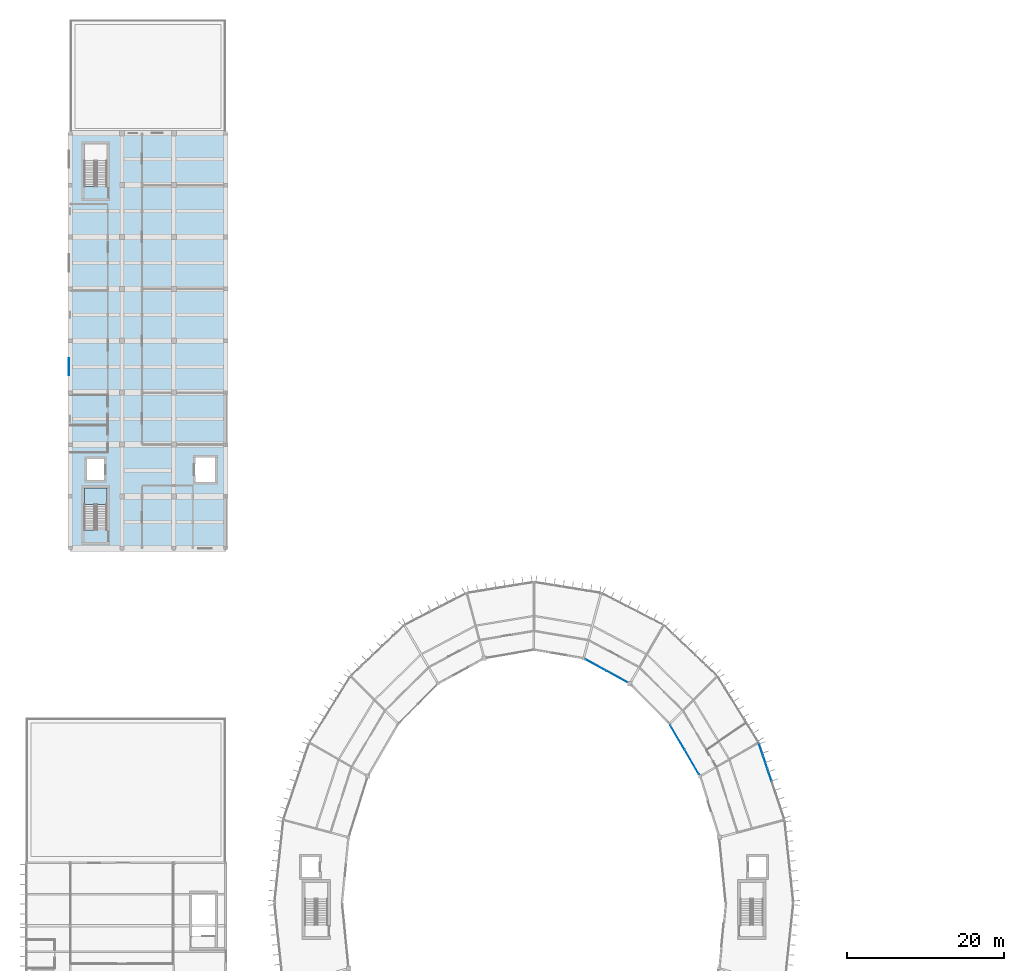
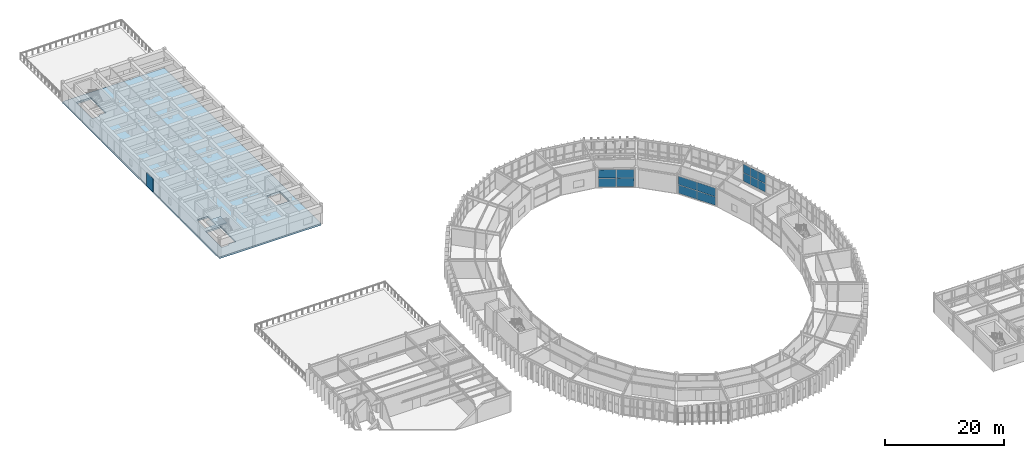
# One storey, part 94 of 130: 15 plates, 2 slabs, 4 elements without a shape of their own.
"""IFC4 building model written with IfcOpenShell, lengths in metres."""

from ifc_helpers import new_model, si_unit, direction, frame, origin, origin_2d, place, context, subcontext, project, spatial, polyline, rectangle, outline, extrude, material, layer, layer_set, type_object, element, aggregate, save


model = new_model("IFC4")

# Units and contexts
model_context = context("Model", 3, precision=1e-05, world=origin(), true_north=direction((0.0, 1.0)))
body_context = subcontext(model_context, "Body", "Model", "MODEL_VIEW")
ifc_project = project(units=[si_unit("LENGTHUNIT", "METRE"), si_unit("AREAUNIT", "SQUARE_METRE"), si_unit("VOLUMEUNIT", "CUBIC_METRE"), si_unit("PLANEANGLEUNIT", "RADIAN"), si_unit("MASSUNIT", "GRAM", prefix="KILO")], contexts=[model_context])

# Site, building, storey
site_placement = place(None, origin())
site = spatial("IfcSite", under=ifc_project, at=site_placement, CompositionType="ELEMENT")
building_placement = place(site_placement, origin())
building = spatial("IfcBuilding", under=site, at=building_placement, Name="Karori Crest Natural Sciences Institute", CompositionType="ELEMENT")
storey_placement = place(building_placement, frame((0.0, 0.0, 17.5)))
storey = spatial("IfcBuildingStorey", under=building, at=storey_placement, Name="L04", CompositionType="ELEMENT", Elevation=17.5)

# Curtain wall, plates
ifc_material_1 = material(Name="Anodised architectural aluminium 6063-T6", Category="aluminium")
curtain_wall_type_1 = type_object("IfcCurtainWallType", Name="CWT-13", PredefinedType="NOTDEFINED", material=ifc_material_1)
curtain_wall_1_placement = place(storey_placement, origin())
curtain_wall_1 = element("IfcCurtainWall", 1, at=curtain_wall_1_placement, inside=storey, type_object=curtain_wall_type_1, Name="Curtain wall CW-0140", PredefinedType="NOTDEFINED")
ifc_material_2 = material(Name="Double low-E laminated glass", Category="glass")
ifc_layer_1 = layer(ifc_material_2, 0.02392578125, Name="Double low-E laminated glass")
ifc_layer_set_1 = layer_set([ifc_layer_1], Name="Double low-E laminated glass")
plate_type_1 = type_object("IfcPlateType", Name="CWP-01", PredefinedType="CURTAIN_PANEL", material=ifc_layer_set_1)
plate_1_placement = place(storey_placement, frame((86.48193359375, 67.80419921875, 0.06005859375), z_axis=(0.0, 0.0, 1.0), x_axis=(-0.502654910341, 0.864487154971, 0.0)))
plate_1 = element("IfcPlate", 2, at=plate_1_placement, type_object=plate_type_1, Name="CW-0140 panel 1.1", PredefinedType="CURTAIN_PANEL", context=body_context, shape_type="SweptSolid", body=[
    extrude(rectangle(XDim=3.585205078125, YDim=0.02392578125, at=origin_2d()), origin(), (0.0, 0.0, 1.0), 1.735107421875),
])
plate_2_placement = place(storey_placement, frame((86.48193359375, 67.80419921875, 1.85498046875), z_axis=(0.0, 0.0, 1.0), x_axis=(-0.502654910341, 0.864487154971, 0.0)))
plate_2 = element("IfcPlate", 3, at=plate_2_placement, type_object=plate_type_1, Name="CW-0140 panel 1.2", PredefinedType="CURTAIN_PANEL", context=body_context, shape_type="SweptSolid", body=[
    extrude(rectangle(XDim=3.585205078125, YDim=0.02392578125, at=origin_2d()), origin(), (0.0, 0.0, 1.0), 1.735107421875),
])
plate_3_placement = place(storey_placement, frame((84.647216796875, 70.959716796875, 0.06005859375), z_axis=(0.0, 0.0, 1.0), x_axis=(-0.502654910341, 0.864487154971, 0.0)))
plate_3 = element("IfcPlate", 4, at=plate_3_placement, type_object=plate_type_1, Name="CW-0140 panel 2.1", PredefinedType="CURTAIN_PANEL", context=body_context, shape_type="SweptSolid", body=[
    extrude(rectangle(XDim=3.585205078125, YDim=0.02392578125, at=origin_2d()), origin(), (0.0, 0.0, 1.0), 1.735107421875),
])
plate_4_placement = place(storey_placement, frame((84.647216796875, 70.959716796875, 1.85498046875), z_axis=(0.0, 0.0, 1.0), x_axis=(-0.502654910341, 0.864487154971, 0.0)))
plate_4 = element("IfcPlate", 5, at=plate_4_placement, type_object=plate_type_1, Name="CW-0140 panel 2.2", PredefinedType="CURTAIN_PANEL", context=body_context, shape_type="SweptSolid", body=[
    extrude(rectangle(XDim=3.585205078125, YDim=0.02392578125, at=origin_2d()), origin(), (0.0, 0.0, 1.0), 1.735107421875),
])
aggregate(curtain_wall_1, [plate_1, plate_2, plate_3, plate_4])

curtain_wall_type_2 = type_object("IfcCurtainWallType", Name="CWT-15", PredefinedType="NOTDEFINED", material=ifc_material_1)
curtain_wall_2_placement = place(storey_placement, origin())
curtain_wall_2 = element("IfcCurtainWall", 6, at=curtain_wall_2_placement, inside=storey, type_object=curtain_wall_type_2, Name="Curtain wall CW-0143", PredefinedType="NOTDEFINED")
plate_5_placement = place(storey_placement, frame((76.959228515625, 78.682861328125, 0.06005859375), z_axis=(0.0, 0.0, 1.0), x_axis=(-0.877470277057, 0.479631017431, 0.0)))
plate_5 = element("IfcPlate", 7, at=plate_5_placement, type_object=plate_type_1, Name="CW-0143 panel 1.1", PredefinedType="CURTAIN_PANEL", context=body_context, shape_type="SweptSolid", body=[
    extrude(rectangle(XDim=2.987060546875, YDim=0.02392578125, at=origin_2d()), origin(), (0.0, 0.0, 1.0), 1.735107421875),
])
plate_6_placement = place(storey_placement, frame((76.959228515625, 78.682861328125, 1.85498046875), z_axis=(0.0, 0.0, 1.0), x_axis=(-0.877470277057, 0.479631017431, 0.0)))
plate_6 = element("IfcPlate", 8, at=plate_6_placement, type_object=plate_type_1, Name="CW-0143 panel 1.2", PredefinedType="CURTAIN_PANEL", context=body_context, shape_type="SweptSolid", body=[
    extrude(rectangle(XDim=2.987060546875, YDim=0.02392578125, at=origin_2d()), origin(), (0.0, 0.0, 1.0), 1.735107421875),
])
plate_7_placement = place(storey_placement, frame((74.281005859375, 80.14697265625, 0.06005859375), z_axis=(0.0, 0.0, 1.0), x_axis=(-0.877470277057, 0.479631017431, 0.0)))
plate_7 = element("IfcPlate", 9, at=plate_7_placement, type_object=plate_type_1, Name="CW-0143 panel 2.1", PredefinedType="CURTAIN_PANEL", context=body_context, shape_type="SweptSolid", body=[
    extrude(rectangle(XDim=2.987060546875, YDim=0.02392578125, at=origin_2d()), origin(), (0.0, 0.0, 1.0), 1.735107421875),
])
plate_8_placement = place(storey_placement, frame((74.281005859375, 80.14697265625, 1.85498046875), z_axis=(0.0, 0.0, 1.0), x_axis=(-0.877470277057, 0.479631017431, 0.0)))
plate_8 = element("IfcPlate", 10, at=plate_8_placement, type_object=plate_type_1, Name="CW-0143 panel 2.2", PredefinedType="CURTAIN_PANEL", context=body_context, shape_type="SweptSolid", body=[
    extrude(rectangle(XDim=2.987060546875, YDim=0.02392578125, at=origin_2d()), origin(), (0.0, 0.0, 1.0), 1.735107421875),
])
aggregate(curtain_wall_2, [plate_5, plate_6, plate_7, plate_8])

curtain_wall_type_3 = type_object("IfcCurtainWallType", Name="CWT-02", PredefinedType="NOTDEFINED", material=ifc_material_1)
curtain_wall_3_placement = place(storey_placement, origin())
curtain_wall_3 = element("IfcCurtainWall", 11, at=curtain_wall_3_placement, inside=storey, type_object=curtain_wall_type_3, Name="Curtain wall CW-0138", PredefinedType="NOTDEFINED")
ifc_layer_2 = layer(ifc_material_2, 0.033935546875, Name="Double low-E laminated glass")
ifc_layer_set_2 = layer_set([ifc_layer_2], Name="Double low-E laminated glass")
plate_type_2 = type_object("IfcPlateType", Name="CWP-02", PredefinedType="CURTAIN_PANEL", material=ifc_layer_set_2)
plate_9_placement = place(storey_placement, frame((95.279541015625, 69.402587890625, 0.06005859375), z_axis=(0.0, 0.0, 1.0), x_axis=(0.317679803392, -0.94819805026, 0.0)))
plate_9 = element("IfcPlate", 12, at=plate_9_placement, type_object=plate_type_2, Name="CW-0138 panel 1.1", PredefinedType="CURTAIN_PANEL", context=body_context, shape_type="SweptSolid", body=[
    extrude(rectangle(XDim=1.59619140625, YDim=0.033935546875, at=origin_2d()), origin(), (0.0, 0.0, 1.0), 1.722412109375),
])
plate_10_placement = place(storey_placement, frame((95.279541015625, 69.402587890625, 1.8427734375), z_axis=(0.0, 0.0, 1.0), x_axis=(0.317679803392, -0.94819805026, 0.0)))
plate_10 = element("IfcPlate", 13, at=plate_10_placement, type_object=plate_type_2, Name="CW-0138 panel 1.2", PredefinedType="CURTAIN_PANEL", context=body_context, shape_type="SweptSolid", body=[
    extrude(rectangle(XDim=1.59619140625, YDim=0.033935546875, at=origin_2d()), origin(), (0.0, 0.0, 1.0), 1.722412109375),
])
plate_11_placement = place(storey_placement, frame((95.8125, 67.81201171875, 0.06005859375), z_axis=(0.0, 0.0, 1.0), x_axis=(0.317679803392, -0.94819805026, 0.0)))
plate_11 = element("IfcPlate", 14, at=plate_11_placement, type_object=plate_type_2, Name="CW-0138 panel 2.1", PredefinedType="CURTAIN_PANEL", context=body_context, shape_type="SweptSolid", body=[
    extrude(rectangle(XDim=1.628662109375, YDim=0.033935546875, at=origin_2d()), origin(), (0.0, 0.0, 1.0), 1.722412109375),
])
plate_12_placement = place(storey_placement, frame((95.8125, 67.81201171875, 1.8427734375), z_axis=(0.0, 0.0, 1.0), x_axis=(0.317679803392, -0.94819805026, 0.0)))
plate_12 = element("IfcPlate", 15, at=plate_12_placement, type_object=plate_type_2, Name="CW-0138 panel 2.2", PredefinedType="CURTAIN_PANEL", context=body_context, shape_type="SweptSolid", body=[
    extrude(rectangle(XDim=1.628662109375, YDim=0.033935546875, at=origin_2d()), origin(), (0.0, 0.0, 1.0), 1.722412109375),
])
plate_13_placement = place(storey_placement, frame((96.3505859375, 66.205810546875, 0.06005859375), z_axis=(0.0, 0.0, 1.0), x_axis=(0.317679803392, -0.94819805026, 0.0)))
plate_13 = element("IfcPlate", 16, at=plate_13_placement, type_object=plate_type_2, Name="CW-0138 panel 3.1", PredefinedType="CURTAIN_PANEL", context=body_context, shape_type="SweptSolid", body=[
    extrude(rectangle(XDim=1.628662109375, YDim=0.033935546875, at=origin_2d()), origin(), (0.0, 0.0, 1.0), 1.722412109375),
])
plate_14_placement = place(storey_placement, frame((96.3505859375, 66.205810546875, 1.8427734375), z_axis=(0.0, 0.0, 1.0), x_axis=(0.317679803392, -0.94819805026, 0.0)))
plate_14 = element("IfcPlate", 17, at=plate_14_placement, type_object=plate_type_2, Name="CW-0138 panel 3.2", PredefinedType="CURTAIN_PANEL", context=body_context, shape_type="SweptSolid", body=[
    extrude(rectangle(XDim=1.628662109375, YDim=0.033935546875, at=origin_2d()), origin(), (0.0, 0.0, 1.0), 1.722412109375),
])
aggregate(curtain_wall_3, [plate_9, plate_10, plate_11, plate_12, plate_13, plate_14])

# Plate
ifc_layer_3 = layer(ifc_material_1, 0.06396484375, Name="Anodised architectural aluminium 6063-T6")
ifc_layer_set_3 = layer_set([ifc_layer_3], Name="Anodised architectural aluminium 6063-T6")
plate_type_3 = type_object("IfcPlateType", Name="PLT-03", PredefinedType="SHEET", material=ifc_layer_set_3)
plate_15_placement = place(storey_placement, frame((7.25, 118.10009765625, 0.07470703125), z_axis=(0.0, 0.0, 1.0), x_axis=(1.0, 0.0, 0.0)))
element("IfcPlate", 18, at=plate_15_placement, inside=storey, type_object=plate_type_3, Name="Metabolist service chase cladding PL-0013", PredefinedType="SHEET", context=body_context, shape_type="SweptSolid", body=[
    extrude(rectangle(XDim=0.052001953125, YDim=2.199951171875, at=origin_2d()), origin(), (0.0, 0.0, 1.0), 2.735107421875),
])

# Slab
ifc_material_3 = material(Name="Concrete 50 MPa", Category="concrete")
ifc_layer_4 = layer(ifc_material_3, 0.35009765625, Name="Concrete 50 MPa")
ifc_layer_set_4 = layer_set([ifc_layer_4], Name="Concrete 50 MPa")
slab_type_1 = type_object("IfcSlabType", Name="SLT-03", PredefinedType="FLOOR", material=ifc_layer_set_4)
slab_1_placement = place(storey_placement, frame((0.0, 0.0, -0.35009765625)))
element("IfcSlab", 19, at=slab_1_placement, inside=storey, type_object=slab_type_1, Name="V4 Slab SL-0156", PredefinedType="FLOOR", context=body_context, shape_type="SweptSolid", body=[
    extrude(outline(polyline([(7.39990234375, 95.0), (27.199951171875, 95.0), (27.199951171875, 147.800048828125), (7.39990234375, 147.800048828125), (7.39990234375, 95.0)]), holes=[polyline([(12.10009765625, 97.580078125), (10.64990234375, 97.580078125), (10.64990234375, 97.300537109375), (9.199951171875, 97.300537109375), (9.199951171875, 102.699951171875), (12.10009765625, 102.699951171875), (12.10009765625, 97.580078125)]), polyline([(12.10009765625, 141.280029296875), (10.64990234375, 141.280029296875), (10.64990234375, 141.00048828125), (9.199951171875, 141.00048828125), (9.199951171875, 146.39990234375), (12.10009765625, 146.39990234375), (12.10009765625, 141.280029296875)]), polyline([(9.52490234375, 106.375), (11.77490234375, 106.375), (11.77490234375, 103.625), (9.52490234375, 103.625), (9.52490234375, 106.375)]), polyline([(23.300048828125, 106.60009765625), (25.89990234375, 106.60009765625), (25.89990234375, 103.39990234375), (23.300048828125, 103.39990234375), (23.300048828125, 106.60009765625)])]), origin(), (0.0, 0.0, 1.0), 0.35009765625),
])

# Stair, slab
ifc_material_4 = material(Name="Concrete 40 MPa", Category="concrete")
stair_type = type_object("IfcStairType", Name="STT-01", PredefinedType="HALF_TURN_STAIR", material=ifc_material_4)
stair_placement = place(storey_placement, origin())
stair = element("IfcStair", 20, at=stair_placement, inside=storey, type_object=stair_type, Name="Protected stair ST-05-L04", PredefinedType="HALF_TURN_STAIR")
ifc_layer_5 = layer(ifc_material_4, 0.2099609375, Name="Concrete 40 MPa")
ifc_layer_set_5 = layer_set([ifc_layer_5], Name="Concrete 40 MPa")
slab_type_2 = type_object("IfcSlabType", Name="SLT-11", PredefinedType="LANDING", material=ifc_layer_set_5)
slab_2_placement = place(storey_placement, frame((0.0, 0.0, 1.889892578125)))
slab_2 = element("IfcSlab", 21, at=slab_2_placement, type_object=slab_type_2, Name="ST-05-L04 landing 1", PredefinedType="LANDING", context=body_context, shape_type="SweptSolid", body=[
    extrude(outline(polyline([(12.10009765625, 100.60009765625), (12.10009765625, 102.699951171875), (9.199951171875, 102.699951171875), (9.199951171875, 100.60009765625), (12.10009765625, 100.60009765625)])), origin(), (0.0, 0.0, 1.0), 0.210205078125),
])
aggregate(stair, [slab_2])

save(model, "model.ifc")
